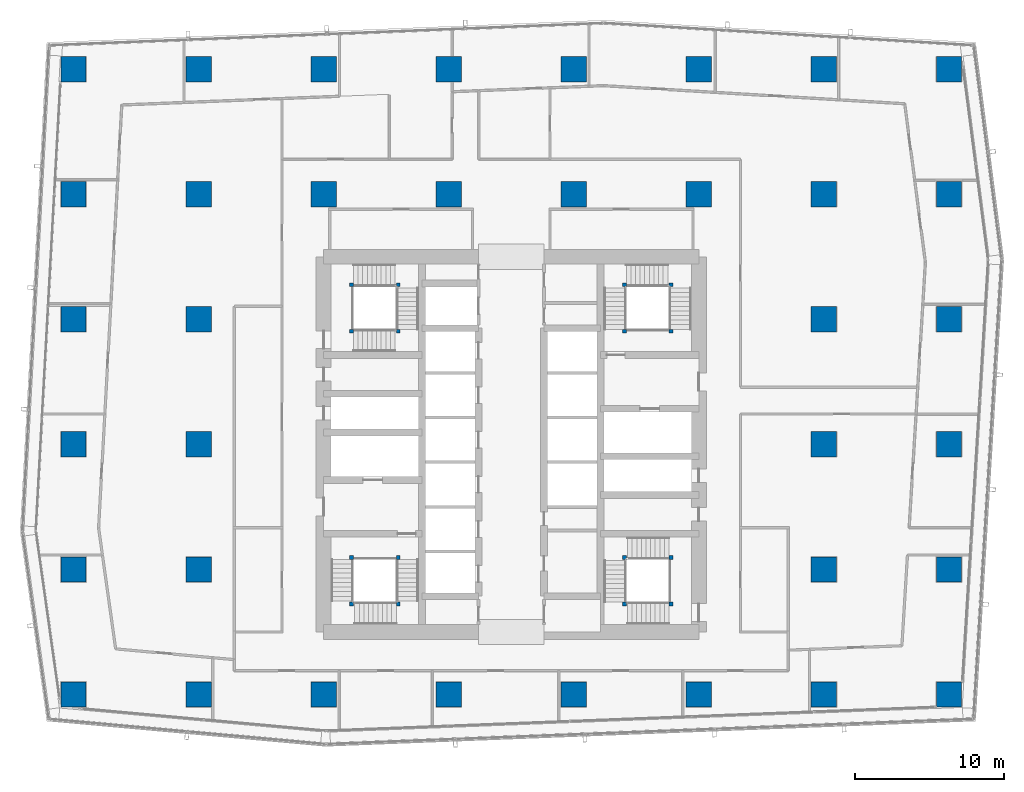
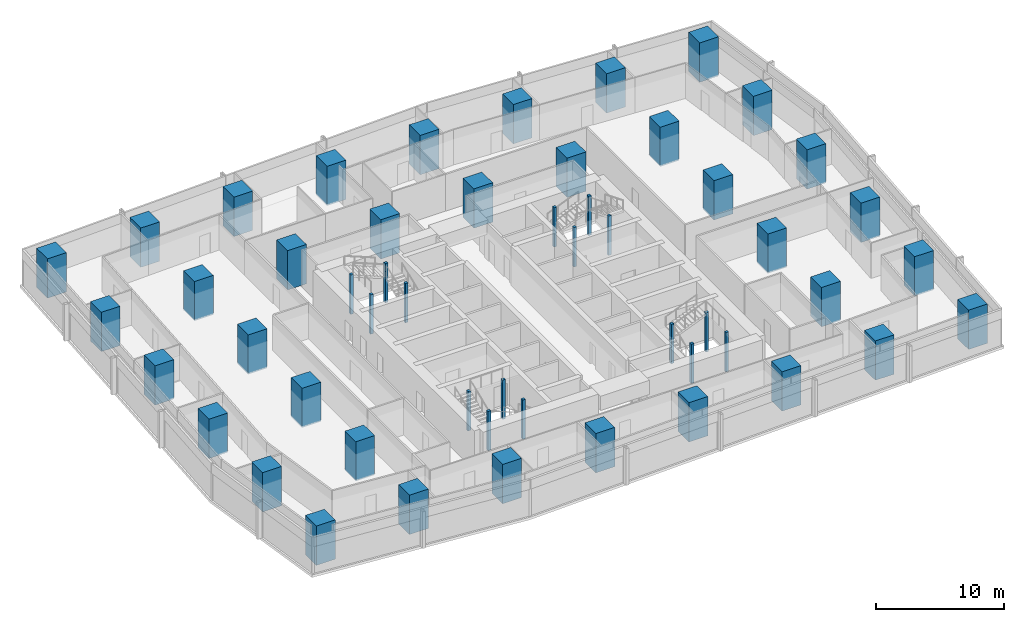
# One storey, part 1 of 40: 52 columns.
"""IFC4 building model written with IfcOpenShell, lengths in metres."""

from ifc_helpers import new_model, si_unit, direction, frame, origin, origin_2d, place, context, subcontext, project, spatial, rectangle, extrude, material, material_profile, profile_set, type_object, element, save


model = new_model("IFC4")

# Units and contexts
model_context = context("Model", 3, precision=1e-05, world=origin(), true_north=direction((0.0, 1.0)))
body_context = subcontext(model_context, "Body", "Model", "MODEL_VIEW")
ifc_project = project(units=[si_unit("LENGTHUNIT", "METRE"), si_unit("AREAUNIT", "SQUARE_METRE"), si_unit("VOLUMEUNIT", "CUBIC_METRE"), si_unit("PLANEANGLEUNIT", "RADIAN"), si_unit("MASSUNIT", "GRAM", prefix="KILO")], contexts=[model_context])

# Site, building, storey
site_placement = place(None, origin())
site = spatial("IfcSite", under=ifc_project, at=site_placement, CompositionType="ELEMENT")
building_placement = place(site_placement, origin())
building = spatial("IfcBuilding", under=site, at=building_placement, Name="Rekha Terrace Tower", CompositionType="ELEMENT")
storey_placement = place(building_placement, frame((0.0, 0.0, 121.550048828125)))
storey = spatial("IfcBuildingStorey", under=building, at=storey_placement, Name="L30", CompositionType="ELEMENT", Elevation=121.550048828125)

# Columns
ifc_material_1 = material(Name="Concrete M70", Category="concrete")
ifc_material_profile_1 = material_profile(ifc_material_1, rectangle(XDim=1.699951171875, YDim=1.699951171875, at=origin_2d()), Name="RC 1700x1700")
ifc_profile_set_1 = profile_set([ifc_material_profile_1], Name="Concrete M70")
column_type_1 = type_object("IfcColumnType", Name="C3 1700x1700 column", PredefinedType="COLUMN", material=ifc_profile_set_1)
for number, where, z_axis, x_axis, name in (
    (1, (8.39990234375, 16.800048828125, 0.0), (0.0, 0.0, 1.0), (1.0, 0.0, 0.0), "Column C3 2/C L30"),
    (2, (8.39990234375, 25.199951171875, 0.0), (0.0, 0.0, 1.0), (1.0, 0.0, 0.0), "Column C3 2/D L30"),
    (3, (8.39990234375, 33.60009765625, 0.0), (0.0, 0.0, 1.0), (1.0, 0.0, 0.0), "Column C3 2/E L30"),
    (4, (8.39990234375, 42.0, 0.0), (0.0, 0.0, 1.0), (1.0, 0.0, 0.0), "Column C3 2/F L30"),
    (5, (8.39990234375, 50.39990234375, 0.0), (0.0, 0.0, 1.0), (1.0, 0.0, 0.0), "Column C3 2/G L30"),
    (6, (8.39990234375, 58.800048828125, 0.0), (0.0, 0.0, 1.0), (1.0, 0.0, 0.0), "Column C3 2/H L30"),
    (7, (16.800048828125, 16.800048828125, 0.0), (0.0, 0.0, 1.0), (1.0, 0.0, 0.0), "Column C3 3/C L30"),
    (8, (16.800048828125, 25.199951171875, 0.0), (0.0, 0.0, 1.0), (1.0, 0.0, 0.0), "Column C3 3/D L30"),
    (9, (16.800048828125, 33.60009765625, 0.0), (0.0, 0.0, 1.0), (1.0, 0.0, 0.0), "Column C3 3/E L30"),
    (10, (16.800048828125, 42.0, 0.0), (0.0, 0.0, 1.0), (1.0, 0.0, 0.0), "Column C3 3/F L30"),
    (11, (16.800048828125, 50.39990234375, 0.0), (0.0, 0.0, 1.0), (1.0, 0.0, 0.0), "Column C3 3/G L30"),
    (12, (16.800048828125, 58.800048828125, 0.0), (0.0, 0.0, 1.0), (1.0, 0.0, 0.0), "Column C3 3/H L30"),
    (13, (25.199951171875, 16.800048828125, 0.0), (0.0, 0.0, 1.0), (1.0, 0.0, 0.0), "Column C3 4/C L30"),
    (14, (25.199951171875, 50.39990234375, 0.0), (0.0, 0.0, 1.0), (1.0, 0.0, 0.0), "Column C3 4/G L30"),
    (15, (25.199951171875, 58.800048828125, 0.0), (0.0, 0.0, 1.0), (1.0, 0.0, 0.0), "Column C3 4/H L30"),
    (16, (33.60009765625, 16.800048828125, 0.0), (0.0, 0.0, 1.0), (1.0, 0.0, 0.0), "Column C3 5/C L30"),
    (17, (33.60009765625, 50.39990234375, 0.0), (0.0, 0.0, 1.0), (1.0, 0.0, 0.0), "Column C3 5/G L30"),
    (18, (33.60009765625, 58.800048828125, 0.0), (0.0, 0.0, 1.0), (1.0, 0.0, 0.0), "Column C3 5/H L30"),
    (19, (42.0, 16.800048828125, 0.0), (0.0, 0.0, 1.0), (1.0, 0.0, 0.0), "Column C3 6/C L30"),
    (20, (42.0, 50.39990234375, 0.0), (0.0, 0.0, 1.0), (1.0, 0.0, 0.0), "Column C3 6/G L30"),
    (21, (42.0, 58.800048828125, 0.0), (0.0, 0.0, 1.0), (1.0, 0.0, 0.0), "Column C3 6/H L30"),
    (22, (50.39990234375, 16.800048828125, 0.0), (0.0, 0.0, 1.0), (1.0, 0.0, 0.0), "Column C3 7/C L30"),
    (23, (50.39990234375, 50.39990234375, 0.0), (0.0, 0.0, 1.0), (1.0, 0.0, 0.0), "Column C3 7/G L30"),
    (24, (50.39990234375, 58.800048828125, 0.0), (0.0, 0.0, 1.0), (1.0, 0.0, 0.0), "Column C3 7/H L30"),
    (25, (58.800048828125, 16.800048828125, 0.0), (0.0, 0.0, 1.0), (1.0, 0.0, 0.0), "Column C3 8/C L30"),
    (26, (58.800048828125, 25.199951171875, 0.0), (0.0, 0.0, 1.0), (1.0, 0.0, 0.0), "Column C3 8/D L30"),
    (27, (58.800048828125, 33.60009765625, 0.0), (0.0, 0.0, 1.0), (1.0, 0.0, 0.0), "Column C3 8/E L30"),
    (28, (58.800048828125, 42.0, 0.0), (0.0, 0.0, 1.0), (1.0, 0.0, 0.0), "Column C3 8/F L30"),
    (29, (58.800048828125, 50.39990234375, 0.0), (0.0, 0.0, 1.0), (1.0, 0.0, 0.0), "Column C3 8/G L30"),
    (30, (58.800048828125, 58.800048828125, 0.0), (0.0, 0.0, 1.0), (1.0, 0.0, 0.0), "Column C3 8/H L30"),
    (31, (67.199951171875, 16.800048828125, 0.0), (0.0, 0.0, 1.0), (1.0, 0.0, 0.0), "Column C3 9/C L30"),
    (32, (67.199951171875, 25.199951171875, 0.0), (0.0, 0.0, 1.0), (1.0, 0.0, 0.0), "Column C3 9/D L30"),
    (33, (67.199951171875, 33.60009765625, 0.0), (0.0, 0.0, 1.0), (1.0, 0.0, 0.0), "Column C3 9/E L30"),
    (34, (67.199951171875, 42.0, 0.0), (0.0, 0.0, 1.0), (1.0, 0.0, 0.0), "Column C3 9/F L30"),
    (35, (67.199951171875, 50.39990234375, 0.0), (0.0, 0.0, 1.0), (1.0, 0.0, 0.0), "Column C3 9/G L30"),
    (36, (67.199951171875, 58.800048828125, 0.0), (0.0, 0.0, 1.0), (1.0, 0.0, 0.0), "Column C3 9/H L30"),
):
    element("IfcColumn", number, at=place(storey_placement, frame(where, z_axis=z_axis, x_axis=x_axis)), inside=storey, type_object=column_type_1, Name=name, PredefinedType="COLUMN", context=body_context, shape_type="SweptSolid", body=[
        extrude(rectangle(XDim=1.699951171875, YDim=1.699951171875, at=origin_2d()), origin(), (0.0, 0.0, 1.0), 3.75),
    ])
ifc_material_2 = material(Name="Concrete M60", Category="concrete")
ifc_material_profile_2 = material_profile(ifc_material_2, rectangle(XDim=0.25, YDim=0.25, at=origin_2d()), Name="RC 250x250")
ifc_profile_set_2 = profile_set([ifc_material_profile_2], Name="Concrete M60")
column_type_2 = type_object("IfcColumnType", Name="NP1 250x250 stair newel post", PredefinedType="COLUMN", material=ifc_profile_set_2)
for number, where, z_axis, x_axis, name in (
    (37, (30.199951171875, 26.0, 0.0), (0.0, 0.0, 1.0), (1.0, 0.0, 0.0), "Stair newel post NP1"),
    (38, (30.199951171875, 22.875, 0.0), (0.0, 0.0, 1.0), (1.0, 0.0, 0.0), "Stair newel post NP1"),
    (39, (27.074951171875, 22.875, 0.0), (0.0, 0.0, 1.0), (1.0, 0.0, 0.0), "Stair newel post NP1"),
    (40, (27.074951171875, 26.0, 0.0), (0.0, 0.0, 1.0), (1.0, 0.0, 0.0), "Stair newel post NP1"),
    (41, (45.39990234375, 41.199951171875, 0.0), (0.0, 0.0, 1.0), (1.0, 0.0, 0.0), "Stair newel post NP1"),
    (42, (45.39990234375, 44.324951171875, 0.0), (0.0, 0.0, 1.0), (1.0, 0.0, 0.0), "Stair newel post NP1"),
    (43, (48.52490234375, 44.324951171875, 0.0), (0.0, 0.0, 1.0), (1.0, 0.0, 0.0), "Stair newel post NP1"),
    (44, (48.52490234375, 41.199951171875, 0.0), (0.0, 0.0, 1.0), (1.0, 0.0, 0.0), "Stair newel post NP1"),
    (45, (48.52490234375, 22.875, 0.0), (0.0, 0.0, 1.0), (1.0, 0.0, 0.0), "Stair newel post NP1"),
    (46, (45.39990234375, 22.875, 0.0), (0.0, 0.0, 1.0), (1.0, 0.0, 0.0), "Stair newel post NP1"),
    (47, (45.39990234375, 26.0, 0.0), (0.0, 0.0, 1.0), (1.0, 0.0, 0.0), "Stair newel post NP1"),
    (48, (48.52490234375, 26.0, 0.0), (0.0, 0.0, 1.0), (1.0, 0.0, 0.0), "Stair newel post NP1"),
    (49, (27.074951171875, 41.199951171875, 0.0), (0.0, 0.0, 1.0), (1.0, 0.0, 0.0), "Stair newel post NP1"),
    (50, (30.199951171875, 41.199951171875, 0.0), (0.0, 0.0, 1.0), (1.0, 0.0, 0.0), "Stair newel post NP1"),
    (51, (30.199951171875, 44.324951171875, 0.0), (0.0, 0.0, 1.0), (1.0, 0.0, 0.0), "Stair newel post NP1"),
    (52, (27.074951171875, 44.324951171875, 0.0), (0.0, 0.0, 1.0), (1.0, 0.0, 0.0), "Stair newel post NP1"),
):
    element("IfcColumn", number, at=place(storey_placement, frame(where, z_axis=z_axis, x_axis=x_axis)), inside=storey, type_object=column_type_2, Name=name, PredefinedType="COLUMN", context=body_context, shape_type="SweptSolid", body=[
        extrude(rectangle(XDim=0.25, YDim=0.25, at=origin_2d()), origin(), (0.0, 0.0, 1.0), 3.75),
    ])

save(model, "model.ifc")
